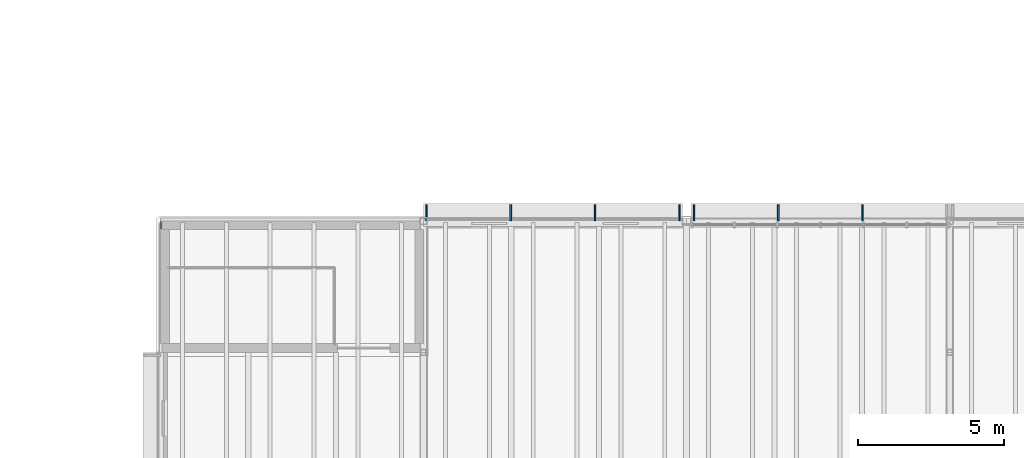
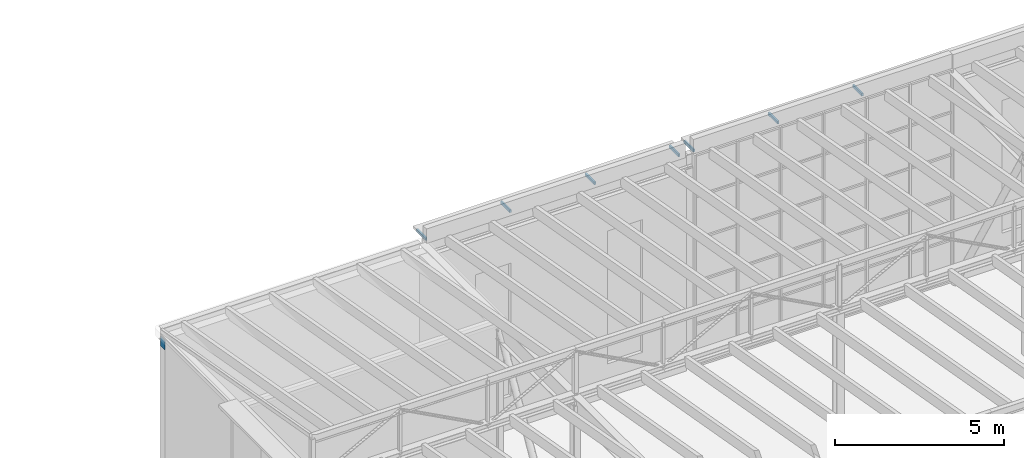
# One storey, part 79 of 90: 8 discrete accessories.
"""IFC4 building model written with IfcOpenShell, lengths in metres."""

from ifc_helpers import new_model, si_unit, direction, frame, origin, origin_2d, place, context, subcontext, project, spatial, rectangle, extrude, element, save


model = new_model("IFC4")

# Units and contexts
model_context = context("Model", 3, precision=1e-05, world=origin(), true_north=direction((0.0, 1.0)))
body_context = subcontext(model_context, "Body", "Model", "MODEL_VIEW")
ifc_project = project(units=[si_unit("LENGTHUNIT", "METRE"), si_unit("AREAUNIT", "SQUARE_METRE"), si_unit("VOLUMEUNIT", "CUBIC_METRE"), si_unit("PLANEANGLEUNIT", "RADIAN"), si_unit("MASSUNIT", "GRAM", prefix="KILO")], contexts=[model_context])

# Site, building, storey
site_placement = place(None, origin())
site = spatial("IfcSite", under=ifc_project, at=site_placement, CompositionType="ELEMENT")
building_placement = place(site_placement, origin())
building = spatial("IfcBuilding", under=site, at=building_placement, Name="Halyard Row Museum", CompositionType="ELEMENT")
storey_placement = place(building_placement, frame((0.0, 0.0, 13.39990234375)))
storey = spatial("IfcBuildingStorey", under=building, at=storey_placement, Name="L03", CompositionType="ELEMENT", Elevation=13.39990234375)

# Discrete accessories
for number, where, z_axis, x_axis, name in (
    (1, (51.0166015625, 45.27490234375, 7.635009765625), (0.0, 0.0, 1.0), (1.0, 0.0, 0.0), "Louvre bracket"),
    (2, (48.13330078125, 45.27490234375, 7.635009765625), (0.0, 0.0, 1.0), (1.0, 0.0, 0.0), "Louvre bracket"),
    (3, (45.25, 45.27490234375, 7.635009765625), (0.0, 0.0, 1.0), (1.0, 0.0, 0.0), "Louvre bracket"),
    (4, (44.75, 45.27490234375, 7.635009765625), (0.0, 0.0, 1.0), (1.0, 0.0, 0.0), "Louvre bracket"),
    (5, (41.86669921875, 45.27490234375, 7.635009765625), (0.0, 0.0, 1.0), (1.0, 0.0, 0.0), "Louvre bracket"),
    (6, (38.9833984375, 45.27490234375, 7.635009765625), (0.0, 0.0, 1.0), (1.0, 0.0, 0.0), "Louvre bracket"),
    (7, (36.10009765625, 45.27490234375, 7.635009765625), (0.0, 0.0, 1.0), (1.0, 0.0, 0.0), "Louvre bracket"),
):
    element("IfcDiscreteAccessory", number, at=place(storey_placement, frame(where, z_axis=z_axis, x_axis=x_axis)), inside=storey, Name=name, PredefinedType="BRACKET", context=body_context, shape_type="SweptSolid", body=[
        extrude(rectangle(XDim=0.06005859375, YDim=0.550048828125, at=origin_2d()), origin(), (0.0, 0.0, 1.0), 0.10009765625),
    ])
discrete_accessory_placement = place(storey_placement, frame((27.0, 44.85009765625, 7.213134765625), z_axis=(1.0, 0.0, 0.0), x_axis=(0.0, 1.0, 0.0)))
element("IfcDiscreteAccessory", 8, at=discrete_accessory_placement, inside=storey, Name="V1-GW3 raking rafter cast-in plate", PredefinedType="ANCHORPLATE", context=body_context, shape_type="SweptSolid", body=[
    extrude(rectangle(XDim=0.25, YDim=0.35009765625, at=origin_2d()), origin(), (0.0, 0.0, 1.0), 0.02001953125),
])

save(model, "model.ifc")
